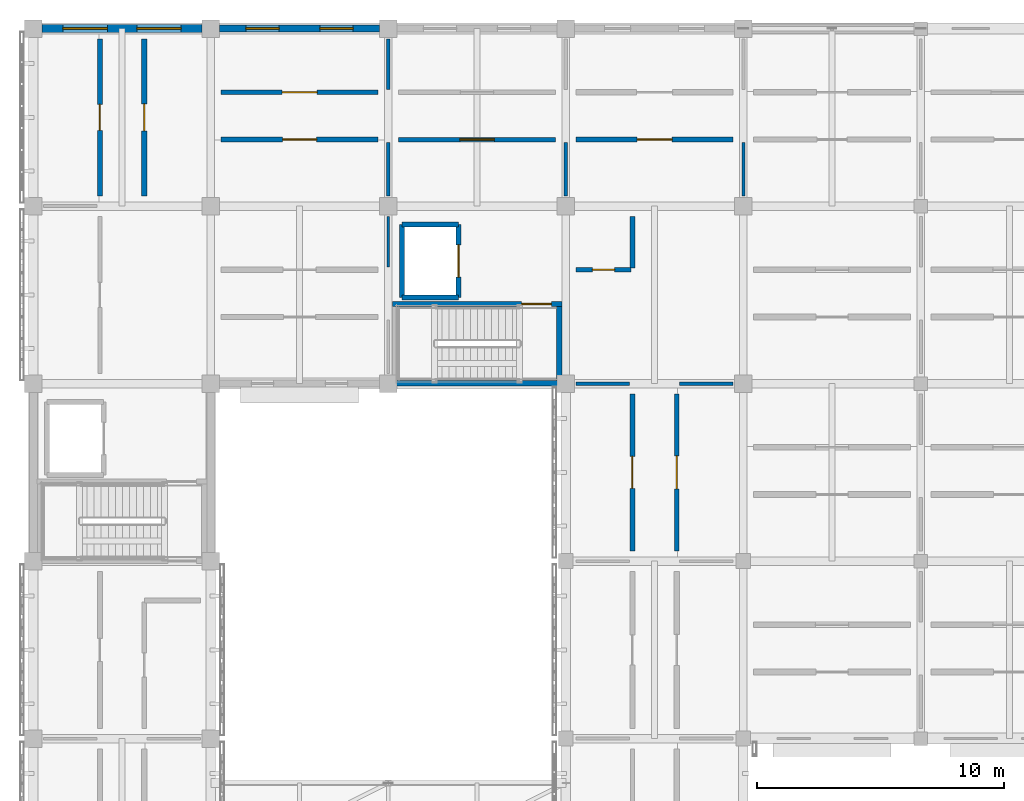
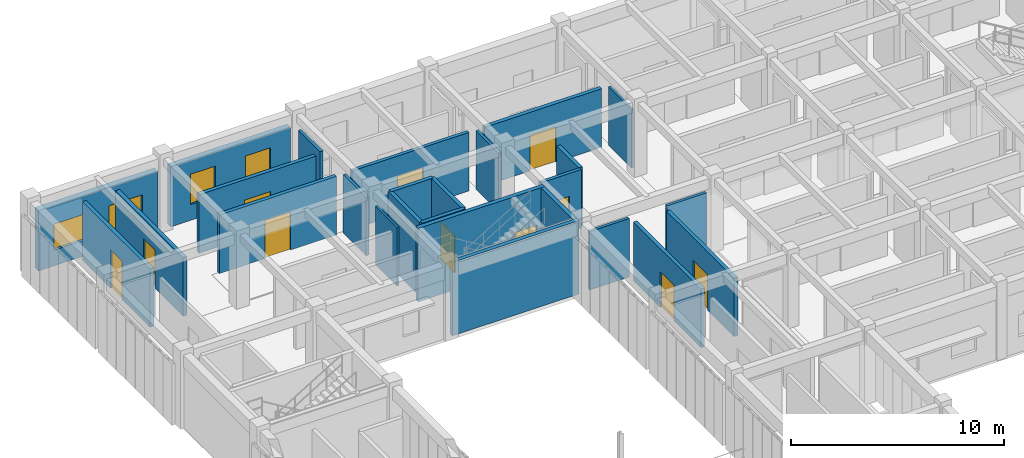
# One storey, part 126 of 171: 26 walls, 11 doors, 4 windows, 15 openings.
"""IFC4 building model written with IfcOpenShell, lengths in metres."""

import ifcopenshell
import ifcopenshell.guid

model = None  # the IFC model being written
_history = None  # IfcOwnerHistory: only IFC2X3 demands one
_inside = {}  # id of a spatial element -> (the spatial element, [elements in it])
_under = {}  # id of a project, library or spatial element -> (it, [spatial elements below it])
_declared = {}  # id of a project -> (the project, [libraries it declares])
_typed = {}  # id of a type object -> (the type object, [elements of that type])
_made_of = {}  # id of a material, layer set ... -> (it, [elements and type objects made of it])


def new_model(schema):
    """Start an empty IFC model of exactly this schema.

    Asked for "IFC4X3", IfcOpenShell would pick the latest addendum, in which some entities
    have other attributes; the version numbers below select the first issue.
    IFC2X3 requires an IfcOwnerHistory on every rooted entity: one is made here for all.
    """
    global model, _history
    if schema == "IFC4X3":
        model = ifcopenshell.file(schema_version=(4, 3, 0, 0))
    else:
        model = ifcopenshell.file(schema=schema)
    _inside.clear()
    _under.clear()
    _declared.clear()
    _typed.clear()
    _made_of.clear()
    _history = None
    if model.schema == "IFC2X3":
        org = make("IfcOrganization", Name="unknown")
        user = make(
            "IfcPersonAndOrganization",
            ThePerson=make("IfcPerson", FamilyName="unknown"),
            TheOrganization=org,
        )
        app = make(
            "IfcApplication",
            ApplicationDeveloper=org,
            Version="unknown",
            ApplicationFullName="unknown",
            ApplicationIdentifier="unknown",
        )
        _history = make(
            "IfcOwnerHistory",
            OwningUser=user,
            OwningApplication=app,
            ChangeAction="ADDED",
            CreationDate=0,
        )
    return model


def make(cls, **values):
    """One entity of the class cls with the attributes given. An attribute that is None is left unset."""
    return model.create_entity(
        cls, **{name: value for name, value in values.items() if value is not None}
    )


def rooted(cls, **values):
    """An entity with a GlobalId (a new one), such as an element, a storey or a relation."""
    return make(cls, GlobalId=ifcopenshell.guid.new(), OwnerHistory=_history, **values)


def si_unit(unit_type, name, prefix=None):
    """IfcSIUnit, for example si_unit("LENGTHUNIT", "METRE", prefix="MILLI")."""
    return make("IfcSIUnit", UnitType=unit_type, Prefix=prefix, Name=name)


def assignment(units):
    """IfcUnitAssignment: the units of a project."""
    return None if units is None else make("IfcUnitAssignment", Units=units)


def point(xyz):
    """IfcCartesianPoint."""
    return None if xyz is None else make("IfcCartesianPoint", Coordinates=xyz)


def direction(xyz):
    """IfcDirection."""
    return None if xyz is None else make("IfcDirection", DirectionRatios=xyz)


def frame(location, z_axis=None, x_axis=None):
    """IfcAxis2Placement3D, a coordinate frame: its origin and axes. An axis left out is left unset."""
    return make(
        "IfcAxis2Placement3D",
        Location=point(location),
        Axis=direction(z_axis),
        RefDirection=direction(x_axis),
    )


def frame_2d(location, x_axis=None):
    """IfcAxis2Placement2D, a coordinate frame in the plane: its origin and x axis."""
    return make(
        "IfcAxis2Placement2D", Location=point(location), RefDirection=direction(x_axis)
    )


def origin():
    """The frame at (0, 0, 0) with its axes left unset."""
    return frame((0.0, 0.0, 0.0))


def place(relative_to, where):
    """IfcLocalPlacement: puts the frame where relative to a parent placement (None: the world)."""
    return make(
        "IfcLocalPlacement", PlacementRelTo=relative_to, RelativePlacement=where
    )


def context(
    kind, dimensions, precision=None, world=None, true_north=None, identifier=None
):
    """IfcGeometricRepresentationContext, for example the 3D "Model" context."""
    return make(
        "IfcGeometricRepresentationContext",
        ContextIdentifier=identifier,
        ContextType=kind,
        CoordinateSpaceDimension=dimensions,
        Precision=precision,
        WorldCoordinateSystem=world,
        TrueNorth=true_north,
    )


def subcontext(parent, identifier, kind, view, scale=None):
    """IfcGeometricRepresentationSubContext, for example "Body" below "Model"."""
    return make(
        "IfcGeometricRepresentationSubContext",
        ContextIdentifier=identifier,
        ContextType=kind,
        ParentContext=parent,
        TargetScale=scale,
        TargetView=view,
    )


def project(units=None, contexts=None):
    """IfcProject with its units and contexts."""
    return rooted(
        "IfcProject",
        Name="project",
        RepresentationContexts=contexts,
        UnitsInContext=assignment(units),
    )


def spatial(cls, under=None, at=None, **own):
    """A site, building, storey or space (cls), placed at a placement, below another one or the project."""
    s = rooted(cls, ObjectPlacement=at, **own)
    if under is not None:
        _under.setdefault(under.id(), (under, []))[1].append(s)
    return s


def profile(cls, at=None, kind="AREA", **sizes):
    """A parametric profile (cls). Its sizes go by their IFC names, for example OverallWidth=200.0."""
    return make(cls, ProfileType=kind, Position=at, **sizes)


def rectangle(**sizes):
    """IfcRectangleProfileDef."""
    return profile("IfcRectangleProfileDef", **sizes)


def extrude(swept, where, along, depth):
    """IfcExtrudedAreaSolid: the profile swept, set in the frame where, extruded along a direction by depth."""
    return make(
        "IfcExtrudedAreaSolid",
        SweptArea=swept,
        Position=where,
        ExtrudedDirection=direction(along),
        Depth=depth,
    )


def shape(context_of_items, identifier, shape_type, items):
    """IfcShapeRepresentation: the items that make up one representation, for example the "Body"."""
    return make(
        "IfcShapeRepresentation",
        ContextOfItems=context_of_items,
        RepresentationIdentifier=identifier,
        RepresentationType=shape_type,
        Items=items,
    )


def material(Name=None, Category=None):
    """IfcMaterial."""
    return make("IfcMaterial", Name=Name, Category=Category)


def layer(
    of_material, thickness, ventilated=None, Name=None, Category=None, Priority=None
):
    """IfcMaterialLayer: one layer of a wall or slab, of a material (None: an air gap)."""
    return make(
        "IfcMaterialLayer",
        Material=of_material,
        LayerThickness=thickness,
        IsVentilated=ventilated,
        Name=Name,
        Category=Category,
        Priority=Priority,
    )


def layer_set(layers, Name=None):
    """IfcMaterialLayerSet."""
    return make("IfcMaterialLayerSet", MaterialLayers=layers, LayerSetName=Name)


def made_of(thing, what):
    """Note that an element or type object is made of a material, layer set ...; save() writes the relation."""
    if what is not None:
        _made_of.setdefault(what.id(), (what, []))[1].append(thing)
    return thing


def type_object(cls, material=None, **own):
    """A type object (cls), such as IfcWallType, which elements share."""
    return made_of(rooted(cls, **own), material)


def element(
    cls,
    number,
    at=None,
    inside=None,
    cuts=None,
    type_object=None,
    material=None,
    context=None,
    identifier="Body",
    shape_type=None,
    held_by="IfcProductDefinitionShape",
    body=None,
    shapes=None,
    **own,
):
    """One element of the class cls, such as IfcWall. Its Tag is "e" and its number.

    at: its placement. inside: the storey or other place that contains it. cuts: it is an
    opening in that element (IfcRelVoidsElement). A single representation is given by context,
    identifier, shape_type and body (its items); several are given by shapes. held_by: the class
    of the entity that holds the representations. save() writes the other relations.
    """
    e = rooted(cls, Tag="e%d" % number, ObjectPlacement=at, **own)
    if body is not None:
        shapes = [shape(context, identifier, shape_type, body)]
    if shapes is not None:
        e.Representation = make(held_by, Representations=shapes)
    if inside is not None:
        _inside.setdefault(inside.id(), (inside, []))[1].append(e)
    if cuts is not None:
        rooted(
            "IfcRelVoidsElement", RelatingBuildingElement=cuts, RelatedOpeningElement=e
        )
    if type_object is not None:
        _typed.setdefault(type_object.id(), (type_object, []))[1].append(e)
    return made_of(e, material)


def fill(opening, filler):
    """IfcRelFillsElement: the door or window that sits in an opening."""
    return rooted(
        "IfcRelFillsElement",
        RelatingOpeningElement=opening,
        RelatedBuildingElement=filler,
    )


def aggregate(whole, parts):
    """IfcRelAggregates: a whole, such as a stair, and the parts it consists of."""
    return rooted("IfcRelAggregates", RelatingObject=whole, RelatedObjects=parts)


def save(model, path):
    """Write the relations noted so far, then the file.

    IfcRelAggregates (storeys below a building ...), IfcRelContainedInSpatialStructure (elements
    in a storey), IfcRelDefinesByType, IfcRelAssociatesMaterial and IfcRelDeclares: one each for
    every whole, place, type object, material and project.
    """
    for whole, parts in _under.values():
        aggregate(whole, parts)
    for where, things in _inside.values():
        rooted(
            "IfcRelContainedInSpatialStructure",
            RelatedElements=things,
            RelatingStructure=where,
        )
    for kind, things in _typed.values():
        rooted("IfcRelDefinesByType", RelatedObjects=things, RelatingType=kind)
    for what, things in _made_of.values():
        rooted("IfcRelAssociatesMaterial", RelatedObjects=things, RelatingMaterial=what)
    for by, libraries in _declared.values():
        rooted("IfcRelDeclares", RelatingContext=by, RelatedDefinitions=libraries)
    model.write(path)


model = new_model("IFC4")

# Units and contexts
model_context = context("Model", 3, precision=1e-05, world=origin(), true_north=direction((0.0, 1.0)))
body_context = subcontext(model_context, "Body", "Model", "MODEL_VIEW")
ifc_project = project(units=[si_unit("LENGTHUNIT", "METRE"), si_unit("AREAUNIT", "SQUARE_METRE"), si_unit("VOLUMEUNIT", "CUBIC_METRE"), si_unit("PLANEANGLEUNIT", "RADIAN"), si_unit("MASSUNIT", "GRAM", prefix="KILO")], contexts=[model_context])

# Site, building, storey
site_placement = place(None, origin())
site = spatial("IfcSite", under=ifc_project, at=site_placement, CompositionType="ELEMENT")
building_placement = place(site_placement, origin())
building = spatial("IfcBuilding", under=site, at=building_placement, Name="Aldebral Square Health Centre", CompositionType="ELEMENT")
storey_placement = place(building_placement, frame((0.0, 0.0, 4.5)))
storey = spatial("IfcBuildingStorey", under=building, at=storey_placement, Name="L01", CompositionType="ELEMENT", Elevation=4.5)

# Wall, openings, windows
ifc_material_1 = material(Name="Ochre mineral-rendered concrete C35/45 court wall", Category="concrete")
ifc_layer_1 = layer(ifc_material_1, 0.280029296875, Name="Ochre mineral-rendered concrete C35/45 court wall", Category="concrete")
ifc_layer_set_1 = layer_set([ifc_layer_1], Name="Ochre mineral-rendered concrete C35/45 court wall")
wall_type_1 = type_object("IfcWallType", Name="EW-OCH-280", PredefinedType="STANDARD", material=ifc_layer_set_1)
wall_1_placement = place(storey_placement, frame((14.050048828125, 115.199951171875, 0.0), z_axis=(0.0, 0.0, 1.0), x_axis=(-1.0, 0.0, 0.0)))
wall_1 = element("IfcWall", 1, at=wall_1_placement, inside=storey, type_object=wall_type_1, Name="L01 V4 exterior wall L01-V4-01-15-N", PredefinedType="STANDARD", context=body_context, shape_type="SweptSolid", body=[
    extrude(rectangle(XDim=6.5, YDim=0.280029296875, at=frame_2d((3.25, 0.0))), origin(), (0.0, 0.0, 1.0), 3.469970703125),
])
opening_1_placement = place(wall_1_placement, frame((1.074951171875, 0.0, 0.89990234375)))
opening_1 = element("IfcOpeningElement", 2, at=opening_1_placement, cuts=wall_1, Name="Opening W40", PredefinedType="OPENING", context=body_context, shape_type="SweptSolid", body=[
    extrude(rectangle(XDim=1.35009765625, YDim=1.75, at=frame_2d((0.675048828125, 0.875))), frame((0.0, 0.14990234375, 0.0), z_axis=(0.0, -1.0, 0.0), x_axis=(1.0, 0.0, 0.0)), (0.0, 0.0, 1.0), 0.300048828125),
])
opening_2_placement = place(wall_1_placement, frame((4.074951171875, 0.0, 0.89990234375)))
opening_2 = element("IfcOpeningElement", 3, at=opening_2_placement, cuts=wall_1, Name="Opening W40", PredefinedType="OPENING", context=body_context, shape_type="SweptSolid", body=[
    extrude(rectangle(XDim=1.35009765625, YDim=1.75, at=frame_2d((0.675048828125, 0.875))), frame((0.0, 0.14990234375, 0.0), z_axis=(0.0, -1.0, 0.0), x_axis=(1.0, 0.0, 0.0)), (0.0, 0.0, 1.0), 0.300048828125),
])
ifc_material_2 = material(Name="Thermally broken aluminium and low-E glass", Category="aluminium")
window_type_1 = type_object("IfcWindowType", Name="WIN-W40", PartitioningType="SINGLE_PANEL", PredefinedType="WINDOW", material=ifc_material_2)
window_1_placement = place(opening_1_placement, origin())
window_1 = element("IfcWindow", 4, at=window_1_placement, inside=storey, type_object=window_type_1, Name="L01 clinical window L01-V4-01-15-N.1", OverallHeight=1.75, OverallWidth=1.35009765625, PartitioningType="SINGLE_PANEL", PredefinedType="WINDOW", context=body_context, shape_type="SweptSolid", body=[
    extrude(rectangle(XDim=1.35009765625, YDim=1.75, at=frame_2d((0.675048828125, 0.875))), frame((0.0, 0.030029296875, 0.0), z_axis=(0.0, -1.0, 0.0), x_axis=(1.0, 0.0, 0.0)), (0.0, 0.0, 1.0), 0.06005859375),
])
fill(opening_1, window_1)
window_2_placement = place(opening_2_placement, origin())
window_2 = element("IfcWindow", 5, at=window_2_placement, inside=storey, type_object=window_type_1, Name="L01 clinical window L01-V4-01-15-N.2", OverallHeight=1.75, OverallWidth=1.35009765625, PartitioningType="SINGLE_PANEL", PredefinedType="WINDOW", context=body_context, shape_type="SweptSolid", body=[
    extrude(rectangle(XDim=1.35009765625, YDim=1.75, at=frame_2d((0.675048828125, 0.875))), frame((0.0, 0.030029296875, 0.0), z_axis=(0.0, -1.0, 0.0), x_axis=(1.0, 0.0, 0.0)), (0.0, 0.0, 1.0), 0.06005859375),
])
fill(opening_2, window_2)

ifc_material_3 = material(Name="Precast concrete C40/50 insulated panel", Category="concrete")
ifc_layer_2 = layer(ifc_material_3, 0.320068359375, Name="Precast concrete C40/50 insulated panel", Category="concrete")
ifc_layer_set_2 = layer_set([ifc_layer_2], Name="Precast concrete C40/50 insulated panel")
wall_type_2 = type_object("IfcWallType", Name="EW-PRE-320", PredefinedType="STANDARD", material=ifc_layer_set_2)
wall_2_placement = place(storey_placement, frame((6.85009765625, 115.199951171875, 0.0), z_axis=(0.0, 0.0, 1.0), x_axis=(-1.0, 0.0, 0.0)))
wall_2 = element("IfcWall", 6, at=wall_2_placement, inside=storey, type_object=wall_type_2, Name="L01 V4 exterior wall L01-V4-00-15-N", PredefinedType="STANDARD", context=body_context, shape_type="SweptSolid", body=[
    extrude(rectangle(XDim=6.5, YDim=0.320068359375, at=frame_2d((3.25, 0.0))), origin(), (0.0, 0.0, 1.0), 3.469970703125),
])
opening_3_placement = place(wall_2_placement, frame((0.85009765625, 0.0, 0.89990234375)))
opening_3 = element("IfcOpeningElement", 7, at=opening_3_placement, cuts=wall_2, Name="Opening W25", PredefinedType="OPENING", context=body_context, shape_type="SweptSolid", body=[
    extrude(rectangle(XDim=1.800048828125, YDim=1.5, at=frame_2d((0.89990234375, 0.75))), frame((0.0, 0.169921875, 0.0), z_axis=(0.0, -1.0, 0.0), x_axis=(1.0, 0.0, 0.0)), (0.0, 0.0, 1.0), 0.340087890625),
])
opening_4_placement = place(wall_2_placement, frame((3.85009765625, 0.0, 0.89990234375)))
opening_4 = element("IfcOpeningElement", 8, at=opening_4_placement, cuts=wall_2, Name="Opening W25", PredefinedType="OPENING", context=body_context, shape_type="SweptSolid", body=[
    extrude(rectangle(XDim=1.800048828125, YDim=1.5, at=frame_2d((0.89990234375, 0.75))), frame((0.0, 0.169921875, 0.0), z_axis=(0.0, -1.0, 0.0), x_axis=(1.0, 0.0, 0.0)), (0.0, 0.0, 1.0), 0.340087890625),
])
window_type_2 = type_object("IfcWindowType", Name="WIN-W25", PartitioningType="SINGLE_PANEL", PredefinedType="WINDOW", material=ifc_material_2)
window_3_placement = place(opening_3_placement, origin())
window_3 = element("IfcWindow", 9, at=window_3_placement, inside=storey, type_object=window_type_2, Name="L01 clinical window L01-V4-00-15-N.1", OverallHeight=1.5, OverallWidth=1.800048828125, PartitioningType="SINGLE_PANEL", PredefinedType="WINDOW", context=body_context, shape_type="SweptSolid", body=[
    extrude(rectangle(XDim=1.800048828125, YDim=1.5, at=frame_2d((0.89990234375, 0.75))), frame((0.0, 0.030029296875, 0.0), z_axis=(0.0, -1.0, 0.0), x_axis=(1.0, 0.0, 0.0)), (0.0, 0.0, 1.0), 0.06005859375),
])
fill(opening_3, window_3)
window_4_placement = place(opening_4_placement, origin())
window_4 = element("IfcWindow", 10, at=window_4_placement, inside=storey, type_object=window_type_2, Name="L01 clinical window L01-V4-00-15-N.2", OverallHeight=1.5, OverallWidth=1.800048828125, PartitioningType="SINGLE_PANEL", PredefinedType="WINDOW", context=body_context, shape_type="SweptSolid", body=[
    extrude(rectangle(XDim=1.800048828125, YDim=1.5, at=frame_2d((0.89990234375, 0.75))), frame((0.0, 0.030029296875, 0.0), z_axis=(0.0, -1.0, 0.0), x_axis=(1.0, 0.0, 0.0)), (0.0, 0.0, 1.0), 0.06005859375),
])
fill(opening_4, window_4)

# Wall, opening, door
ifc_material_4 = material(Name="Concrete C35/45 compartment wall", Category="concrete")
ifc_layer_3 = layer(ifc_material_4, 0.199951171875, Name="Concrete C35/45 compartment wall", Category="concrete")
ifc_layer_set_3 = layer_set([ifc_layer_3], Name="Concrete C35/45 compartment wall")
wall_type_3 = type_object("IfcWallType", Name="IW-CMP-200", PredefinedType="SOLIDWALL", material=ifc_layer_set_3)
wall_3_placement = place(storey_placement, frame((7.6201171875, 110.699951171875, 0.0), z_axis=(0.0, 0.0, 1.0), x_axis=(1.0, 0.0, 0.0)))
wall_3 = element("IfcWall", 11, at=wall_3_placement, inside=storey, type_object=wall_type_3, Name="L01 General Consulting Room 2.16S corridor wall", PredefinedType="SOLIDWALL", context=body_context, shape_type="SweptSolid", body=[
    extrude(rectangle(XDim=6.35986328125, YDim=0.199951171875, at=frame_2d((3.179931640625, 0.0))), origin(), (0.0, 0.0, 1.0), 3.360107421875),
])
opening_5_placement = place(wall_3_placement, frame((2.489990234375, 0.0, 0.0)))
opening_5 = element("IfcOpeningElement", 12, at=opening_5_placement, cuts=wall_3, Name="Opening D-0282", PredefinedType="OPENING", context=body_context, shape_type="SweptSolid", body=[
    extrude(rectangle(XDim=1.3798828125, YDim=2.18994140625, at=frame_2d((0.68994140625, 1.094970703125))), frame((0.0, 0.10986328125, 0.0), z_axis=(0.0, -1.0, 0.0), x_axis=(1.0, 0.0, 0.0)), (0.0, 0.0, 1.0), 0.219970703125),
])
ifc_material_5 = material(Name="Clinical suite fire door")
door_type_1 = type_object("IfcDoorType", Name="ID-EXD-60", OperationType="NOTDEFINED", PredefinedType="DOOR", material=ifc_material_5)
door_1_placement = place(opening_5_placement, origin())
door_1 = element("IfcDoor", 13, at=door_1_placement, inside=storey, type_object=door_type_1, Name="L01 General Consulting Room 2.16S door", OperationType="SINGLE_SWING_LEFT", OverallHeight=2.18994140625, OverallWidth=1.3798828125, PredefinedType="DOOR", context=body_context, shape_type="SweptSolid", body=[
    extrude(rectangle(XDim=1.3798828125, YDim=2.18994140625, at=frame_2d((0.68994140625, 1.094970703125))), frame((0.0, 0.02490234375, 0.0), z_axis=(0.0, -1.0, 0.0), x_axis=(1.0, 0.0, 0.0)), (0.0, 0.0, 1.0), 0.050048828125),
])
fill(opening_5, door_1)

wall_4_placement = place(storey_placement, frame((7.6201171875, 112.6201171875, 0.0), z_axis=(0.0, 0.0, 1.0), x_axis=(1.0, 0.0, 0.0)))
wall_4 = element("IfcWall", 14, at=wall_4_placement, inside=storey, type_object=wall_type_3, Name="L01 Internal Medicine Clinic 2.16N corridor wall", PredefinedType="SOLIDWALL", context=body_context, shape_type="SweptSolid", body=[
    extrude(rectangle(XDim=6.35986328125, YDim=0.199951171875, at=frame_2d((3.179931640625, 0.0))), origin(), (0.0, 0.0, 1.0), 3.360107421875),
])
opening_6_placement = place(wall_4_placement, frame((2.469970703125, 0.0, 0.0)))
opening_6 = element("IfcOpeningElement", 15, at=opening_6_placement, cuts=wall_4, Name="Opening D-0283", PredefinedType="OPENING", context=body_context, shape_type="SweptSolid", body=[
    extrude(rectangle(XDim=1.419921875, YDim=2.18994140625, at=frame_2d((0.7099609375, 1.094970703125))), frame((0.0, 0.10986328125, 0.0), z_axis=(0.0, -1.0, 0.0), x_axis=(1.0, 0.0, 0.0)), (0.0, 0.0, 1.0), 0.219970703125),
])
door_type_2 = type_object("IfcDoorType", Name="ID-EXD-61", OperationType="NOTDEFINED", PredefinedType="DOOR", material=ifc_material_5)
door_2_placement = place(opening_6_placement, origin())
door_2 = element("IfcDoor", 16, at=door_2_placement, inside=storey, type_object=door_type_2, Name="L01 Internal Medicine Clinic 2.16N door", OperationType="SINGLE_SWING_RIGHT", OverallHeight=2.18994140625, OverallWidth=1.419921875, PredefinedType="DOOR", context=body_context, shape_type="SweptSolid", body=[
    extrude(rectangle(XDim=1.419921875, YDim=2.18994140625, at=frame_2d((0.7099609375, 1.094970703125))), frame((0.0, 0.02490234375, 0.0), z_axis=(0.0, -1.0, 0.0), x_axis=(1.0, 0.0, 0.0)), (0.0, 0.0, 1.0), 0.050048828125),
])
fill(opening_6, door_2)

wall_5_placement = place(storey_placement, frame((24.300048828125, 94.02001953125, 0.0), z_axis=(0.0, 0.0, 1.0), x_axis=(0.0, 1.0, 0.0)))
wall_5 = element("IfcWall", 17, at=wall_5_placement, inside=storey, type_object=wall_type_3, Name="L01 Internal Medicine Clinic 4.14W corridor wall", PredefinedType="SOLIDWALL", context=body_context, shape_type="SweptSolid", body=[
    extrude(rectangle(XDim=6.35986328125, YDim=0.199951171875, at=frame_2d((3.179931640625, 0.0))), origin(), (0.0, 0.0, 1.0), 3.360107421875),
])
opening_7_placement = place(wall_5_placement, frame((2.530029296875, 0.0, 0.0)))
opening_7 = element("IfcOpeningElement", 18, at=opening_7_placement, cuts=wall_5, Name="Opening D-0301", PredefinedType="OPENING", context=body_context, shape_type="SweptSolid", body=[
    extrude(rectangle(XDim=1.300048828125, YDim=2.0400390625, at=frame_2d((0.64990234375, 1.02001953125))), frame((0.0, 0.10986328125, 0.0), z_axis=(0.0, -1.0, 0.0), x_axis=(1.0, 0.0, 0.0)), (0.0, 0.0, 1.0), 0.219970703125),
])
door_type_3 = type_object("IfcDoorType", Name="ID-EXD-10", OperationType="NOTDEFINED", PredefinedType="DOOR", material=ifc_material_5)
door_3_placement = place(opening_7_placement, origin())
door_3 = element("IfcDoor", 19, at=door_3_placement, inside=storey, type_object=door_type_3, Name="L01 Internal Medicine Clinic 4.14W door", OperationType="SINGLE_SWING_RIGHT", OverallHeight=2.0400390625, OverallWidth=1.300048828125, PredefinedType="DOOR", context=body_context, shape_type="SweptSolid", body=[
    extrude(rectangle(XDim=1.300048828125, YDim=2.0400390625, at=frame_2d((0.64990234375, 1.02001953125))), frame((0.0, 0.02490234375, 0.0), z_axis=(0.0, -1.0, 0.0), x_axis=(1.0, 0.0, 0.0)), (0.0, 0.0, 1.0), 0.050048828125),
])
fill(opening_7, door_3)

wall_6_placement = place(storey_placement, frame((26.10009765625, 94.02001953125, 0.0), z_axis=(0.0, 0.0, 1.0), x_axis=(0.0, 1.0, 0.0)))
wall_6 = element("IfcWall", 20, at=wall_6_placement, inside=storey, type_object=wall_type_3, Name="L01 Diabetic Foot Care Room 4.14E corridor wall", PredefinedType="SOLIDWALL", context=body_context, shape_type="SweptSolid", body=[
    extrude(rectangle(XDim=6.35986328125, YDim=0.199951171875, at=frame_2d((3.179931640625, 0.0))), origin(), (0.0, 0.0, 1.0), 3.360107421875),
])
opening_8_placement = place(wall_6_placement, frame((2.510009765625, 0.0, 0.0)))
opening_8 = element("IfcOpeningElement", 21, at=opening_8_placement, cuts=wall_6, Name="Opening D-0302", PredefinedType="OPENING", context=body_context, shape_type="SweptSolid", body=[
    extrude(rectangle(XDim=1.340087890625, YDim=2.0400390625, at=frame_2d((0.669921875, 1.02001953125))), frame((0.0, 0.10986328125, 0.0), z_axis=(0.0, -1.0, 0.0), x_axis=(1.0, 0.0, 0.0)), (0.0, 0.0, 1.0), 0.219970703125),
])
door_type_4 = type_object("IfcDoorType", Name="ID-EXD-11", OperationType="NOTDEFINED", PredefinedType="DOOR", material=ifc_material_5)
door_4_placement = place(opening_8_placement, origin())
door_4 = element("IfcDoor", 22, at=door_4_placement, inside=storey, type_object=door_type_4, Name="L01 Diabetic Foot Care Room 4.14E door", OperationType="SINGLE_SWING_LEFT", OverallHeight=2.0400390625, OverallWidth=1.340087890625, PredefinedType="DOOR", context=body_context, shape_type="SweptSolid", body=[
    extrude(rectangle(XDim=1.340087890625, YDim=2.0400390625, at=frame_2d((0.669921875, 1.02001953125))), frame((0.0, 0.02490234375, 0.0), z_axis=(0.0, -1.0, 0.0), x_axis=(1.0, 0.0, 0.0)), (0.0, 0.0, 1.0), 0.050048828125),
])
fill(opening_8, door_4)

ifc_material_6 = material(Name="Fire-rated acoustic gypsum partition")
ifc_layer_4 = layer(ifc_material_6, 0.179931640625, Name="Fire-rated acoustic gypsum partition")
ifc_layer_set_4 = layer_set([ifc_layer_4], Name="Fire-rated acoustic gypsum partition")
wall_type_4 = type_object("IfcWallType", Name="IW-COR-180", PredefinedType="PARTITIONING", material=ifc_layer_set_4)
wall_7_placement = place(storey_placement, frame((14.820068359375, 110.699951171875, 0.0), z_axis=(0.0, 0.0, 1.0), x_axis=(1.0, 0.0, 0.0)))
wall_7 = element("IfcWall", 23, at=wall_7_placement, inside=storey, type_object=wall_type_4, Name="L01 General Consulting Room 3.16S corridor wall", PredefinedType="PARTITIONING", context=body_context, shape_type="SweptSolid", body=[
    extrude(rectangle(XDim=6.35986328125, YDim=0.179931640625, at=frame_2d((3.179931640625, 0.0))), origin(), (0.0, 0.0, 1.0), 3.360107421875),
])
opening_9_placement = place(wall_7_placement, frame((2.47998046875, 0.0, 0.0)))
opening_9 = element("IfcOpeningElement", 24, at=opening_9_placement, cuts=wall_7, Name="Opening D-0288", PredefinedType="OPENING", context=body_context, shape_type="SweptSolid", body=[
    extrude(rectangle(XDim=1.39990234375, YDim=2.199951171875, at=frame_2d((0.699951171875, 1.10009765625))), frame((0.0, 0.10009765625, 0.0), z_axis=(0.0, -1.0, 0.0), x_axis=(1.0, 0.0, 0.0)), (0.0, 0.0, 1.0), 0.199951171875),
])
ifc_material_7 = material(Name="Surgical recovery fire door")
door_type_5 = type_object("IfcDoorType", Name="ID-OR-140", OperationType="NOTDEFINED", PredefinedType="DOOR", material=ifc_material_7)
door_5_placement = place(opening_9_placement, origin())
door_5 = element("IfcDoor", 25, at=door_5_placement, inside=storey, type_object=door_type_5, Name="L01 General Consulting Room 3.16S door", OperationType="SINGLE_SWING_LEFT", OverallHeight=2.199951171875, OverallWidth=1.39990234375, PredefinedType="DOOR", context=body_context, shape_type="SweptSolid", body=[
    extrude(rectangle(XDim=1.39990234375, YDim=2.199951171875, at=frame_2d((0.699951171875, 1.10009765625))), frame((0.0, 0.02490234375, 0.0), z_axis=(0.0, -1.0, 0.0), x_axis=(1.0, 0.0, 0.0)), (0.0, 0.0, 1.0), 0.050048828125),
])
fill(opening_9, door_5)

wall_8_placement = place(storey_placement, frame((22.02001953125, 105.419921875, 0.0), z_axis=(0.0, 0.0, 1.0), x_axis=(1.0, 0.0, 0.0)))
wall_8 = element("IfcWall", 26, at=wall_8_placement, inside=storey, type_object=wall_type_4, Name="L01 Outpatient Treatment Room 4.15NW corridor wall", PredefinedType="PARTITIONING", context=body_context, shape_type="SweptSolid", body=[
    extrude(rectangle(XDim=2.219970703125, YDim=0.179931640625, at=frame_2d((1.10986328125, 0.0))), origin(), (0.0, 0.0, 1.0), 3.360107421875),
])
opening_10_placement = place(wall_8_placement, frame((0.659912109375, 0.0, 0.0)))
opening_10 = element("IfcOpeningElement", 27, at=opening_10_placement, cuts=wall_8, Name="Opening D-0303", PredefinedType="OPENING", context=body_context, shape_type="SweptSolid", body=[
    extrude(rectangle(XDim=0.89990234375, YDim=2.0400390625, at=frame_2d((0.449951171875, 1.02001953125))), frame((0.0, 0.10009765625, 0.0), z_axis=(0.0, -1.0, 0.0), x_axis=(1.0, 0.0, 0.0)), (0.0, 0.0, 1.0), 0.199951171875),
])
door_type_6 = type_object("IfcDoorType", Name="ID-EXD-00", OperationType="NOTDEFINED", PredefinedType="DOOR", material=ifc_material_5)
door_6_placement = place(opening_10_placement, origin())
door_6 = element("IfcDoor", 28, at=door_6_placement, inside=storey, type_object=door_type_6, Name="L01 Outpatient Treatment Room 4.15NW door", OperationType="SINGLE_SWING_RIGHT", OverallHeight=2.0400390625, OverallWidth=0.89990234375, PredefinedType="DOOR", context=body_context, shape_type="SweptSolid", body=[
    extrude(rectangle(XDim=0.89990234375, YDim=2.0400390625, at=frame_2d((0.449951171875, 1.02001953125))), frame((0.0, 0.02490234375, 0.0), z_axis=(0.0, -1.0, 0.0), x_axis=(1.0, 0.0, 0.0)), (0.0, 0.0, 1.0), 0.050048828125),
])
fill(opening_10, door_6)

# Wall
ifc_material_8 = material(Name="Concrete C40/50", Category="concrete")
ifc_layer_5 = layer(ifc_material_8, 0.219970703125, Name="Concrete C40/50", Category="concrete")
ifc_layer_set_5 = layer_set([ifc_layer_5], Name="Concrete C40/50")
wall_type_5 = type_object("IfcWallType", Name="IW-CORE-280", PredefinedType="SHEAR", material=ifc_layer_set_5)
wall_9_placement = place(storey_placement, frame((14.56005859375, 100.81005859375, 0.0), z_axis=(0.0, 0.0, 1.0), x_axis=(1.0, 0.0, 0.0)))
element("IfcWall", 29, at=wall_9_placement, inside=storey, type_object=wall_type_5, Name="L01 WC-C2 shaft wall S", PredefinedType="SHEAR", context=body_context, shape_type="SweptSolid", body=[
    extrude(rectangle(XDim=6.8798828125, YDim=0.219970703125, at=frame_2d((3.43994140625, 0.0))), origin(), (0.0, 0.0, 1.0), 4.219970703125),
])

# Wall, opening, door
wall_10_placement = place(storey_placement, frame((14.56005859375, 104.030029296875, 0.0), z_axis=(0.0, 0.0, 1.0), x_axis=(1.0, 0.0, 0.0)))
wall_10 = element("IfcWall", 30, at=wall_10_placement, inside=storey, type_object=wall_type_5, Name="L01 WC-C2 shaft wall N", PredefinedType="SHEAR", context=body_context, shape_type="SweptSolid", body=[
    extrude(rectangle(XDim=6.8798828125, YDim=0.219970703125, at=frame_2d((3.43994140625, 0.0))), origin(), (0.0, 0.0, 1.0), 4.219970703125),
])
opening_11_placement = place(wall_10_placement, frame((5.25, 0.0, 0.0)))
opening_11 = element("IfcOpeningElement", 31, at=opening_11_placement, cuts=wall_10, Name="Opening D-0021", PredefinedType="OPENING", context=body_context, shape_type="SweptSolid", body=[
    extrude(rectangle(XDim=1.199951171875, YDim=2.14990234375, at=frame_2d((0.60009765625, 1.074951171875))), frame((0.0, 0.1201171875, 0.0), z_axis=(0.0, -1.0, 0.0), x_axis=(1.0, 0.0, 0.0)), (0.0, 0.0, 1.0), 0.239990234375),
])
ifc_material_9 = material(Name="Fire-rated steel stair door", Category="steel")
door_type_7 = type_object("IfcDoorType", Name="ID-ST-120", OperationType="NOTDEFINED", PredefinedType="DOOR", material=ifc_material_9)
door_7_placement = place(opening_11_placement, origin())
door_7 = element("IfcDoor", 32, at=door_7_placement, inside=storey, type_object=door_type_7, Name="L01 ST-02 fire door", OperationType="SINGLE_SWING_LEFT", OverallHeight=2.14990234375, OverallWidth=1.199951171875, PredefinedType="DOOR", context=body_context, shape_type="SweptSolid", body=[
    extrude(rectangle(XDim=1.199951171875, YDim=2.14990234375, at=frame_2d((0.60009765625, 1.074951171875))), frame((0.0, 0.02490234375, 0.0), z_axis=(0.0, -1.0, 0.0), x_axis=(1.0, 0.0, 0.0)), (0.0, 0.0, 1.0), 0.050048828125),
])
fill(opening_11, door_7)

# Walls
wall_11_placement = place(storey_placement, frame((21.330078125, 100.919921875, 0.0), z_axis=(0.0, 0.0, 1.0), x_axis=(0.0, 1.0, 0.0)))
element("IfcWall", 33, at=wall_11_placement, inside=storey, type_object=wall_type_5, Name="L01 WC-C2 shaft wall E", PredefinedType="SHEAR", context=body_context, shape_type="SweptSolid", body=[
    extrude(rectangle(XDim=3.0, YDim=0.219970703125, at=frame_2d((1.5, 0.0))), origin(), (0.0, 0.0, 1.0), 4.219970703125),
])
ifc_layer_6 = layer(ifc_material_8, 0.199951171875, Name="Concrete C40/50", Category="concrete")
ifc_layer_set_6 = layer_set([ifc_layer_6], Name="Concrete C40/50")
wall_type_6 = type_object("IfcWallType", Name="IW-LFT-250", PredefinedType="SHEAR", material=ifc_layer_set_6)
wall_12_placement = place(storey_placement, frame((14.949951171875, 104.300048828125, 0.0), z_axis=(0.0, 0.0, 1.0), x_axis=(1.0, 0.0, 0.0)))
element("IfcWall", 34, at=wall_12_placement, inside=storey, type_object=wall_type_6, Name="L01 LF-02 shaft wall S", PredefinedType="SHEAR", context=body_context, shape_type="SweptSolid", body=[
    extrude(rectangle(XDim=2.300048828125, YDim=0.199951171875, at=frame_2d((1.14990234375, 0.0))), origin(), (0.0, 0.0, 1.0), 4.219970703125),
])
wall_13_placement = place(storey_placement, frame((14.949951171875, 104.300048828125, 0.0), z_axis=(0.0, 0.0, 1.0), x_axis=(0.0, 1.0, 0.0)))
element("IfcWall", 35, at=wall_13_placement, inside=storey, type_object=wall_type_6, Name="L01 LF-02 shaft wall W", PredefinedType="SHEAR", context=body_context, shape_type="SweptSolid", body=[
    extrude(rectangle(XDim=2.949951171875, YDim=0.199951171875, at=frame_2d((1.47509765625, 0.0))), origin(), (0.0, 0.0, 1.0), 4.219970703125),
])
wall_14_placement = place(storey_placement, frame((14.949951171875, 107.25, 0.0), z_axis=(0.0, 0.0, 1.0), x_axis=(1.0, 0.0, 0.0)))
element("IfcWall", 36, at=wall_14_placement, inside=storey, type_object=wall_type_6, Name="L01 LF-02 shaft wall N", PredefinedType="SHEAR", context=body_context, shape_type="SweptSolid", body=[
    extrude(rectangle(XDim=2.300048828125, YDim=0.199951171875, at=frame_2d((1.14990234375, 0.0))), origin(), (0.0, 0.0, 1.0), 4.219970703125),
])

# Wall, opening, door
wall_15_placement = place(storey_placement, frame((17.25, 104.300048828125, 0.0), z_axis=(0.0, 0.0, 1.0), x_axis=(0.0, 1.0, 0.0)))
wall_15 = element("IfcWall", 37, at=wall_15_placement, inside=storey, type_object=wall_type_6, Name="L01 LF-02 landing wall", PredefinedType="SHEAR", context=body_context, shape_type="SweptSolid", body=[
    extrude(rectangle(XDim=2.949951171875, YDim=0.199951171875, at=frame_2d((1.47509765625, 0.0))), origin(), (0.0, 0.0, 1.0), 4.219970703125),
])
opening_12_placement = place(wall_15_placement, frame((0.824951171875, 0.0, 0.0)))
opening_12 = element("IfcOpeningElement", 38, at=opening_12_placement, cuts=wall_15, Name="Opening D-0022", PredefinedType="OPENING", context=body_context, shape_type="SweptSolid", body=[
    extrude(rectangle(XDim=1.300048828125, YDim=2.14990234375, at=frame_2d((0.64990234375, 1.074951171875))), frame((0.0, 0.10986328125, 0.0), z_axis=(0.0, -1.0, 0.0), x_axis=(1.0, 0.0, 0.0)), (0.0, 0.0, 1.0), 0.219970703125),
])
ifc_material_10 = material(Name="Stainless steel stretcher lift landing door", Category="steel")
door_type_8 = type_object("IfcDoorType", Name="ID-LD-130", OperationType="SLIDING_TO_LEFT", PredefinedType="DOOR", material=ifc_material_10)
door_8_placement = place(opening_12_placement, origin())
door_8 = element("IfcDoor", 39, at=door_8_placement, inside=storey, type_object=door_type_8, Name="L01 LF-02 sliding landing door", OperationType="SLIDING_TO_LEFT", OverallHeight=2.14990234375, OverallWidth=1.300048828125, PredefinedType="DOOR", context=body_context, shape_type="SweptSolid", body=[
    extrude(rectangle(XDim=1.300048828125, YDim=2.14990234375, at=frame_2d((0.64990234375, 1.074951171875))), frame((0.0, 0.02490234375, 0.0), z_axis=(0.0, -1.0, 0.0), x_axis=(1.0, 0.0, 0.0)), (0.0, 0.0, 1.0), 0.050048828125),
])
fill(opening_12, door_8)

ifc_material_11 = material(Name="Moisture-resistant sanitary chase wall")
ifc_layer_7 = layer(ifc_material_11, 0.2099609375, Name="Moisture-resistant sanitary chase wall")
ifc_layer_set_7 = layer_set([ifc_layer_7], Name="Moisture-resistant sanitary chase wall")
wall_type_7 = type_object("IfcWallType", Name="IW-PLB-210", PredefinedType="PLUMBINGWALL", material=ifc_layer_set_7)
wall_16_placement = place(storey_placement, frame((2.699951171875, 108.419921875, 0.0), z_axis=(0.0, 0.0, 1.0), x_axis=(0.0, 1.0, 0.0)))
wall_16 = element("IfcWall", 40, at=wall_16_placement, inside=storey, type_object=wall_type_7, Name="L01 Accessible WC 1.16W corridor wall", PredefinedType="PLUMBINGWALL", context=body_context, shape_type="SweptSolid", body=[
    extrude(rectangle(XDim=6.360107421875, YDim=0.2099609375, at=frame_2d((3.18017578125, 0.0))), origin(), (0.0, 0.0, 1.0), 3.360107421875),
])
opening_13_placement = place(wall_16_placement, frame((2.64990234375, 0.0, 0.0)))
opening_13 = element("IfcOpeningElement", 41, at=opening_13_placement, cuts=wall_16, Name="Opening D-0274", PredefinedType="OPENING", context=body_context, shape_type="SweptSolid", body=[
    extrude(rectangle(XDim=1.06005859375, YDim=2.18994140625, at=frame_2d((0.530029296875, 1.094970703125))), frame((0.0, 0.114990234375, 0.0), z_axis=(0.0, -1.0, 0.0), x_axis=(1.0, 0.0, 0.0)), (0.0, 0.0, 1.0), 0.22998046875),
])
door_type_9 = type_object("IfcDoorType", Name="ID-EXD-52", OperationType="NOTDEFINED", PredefinedType="DOOR", material=ifc_material_5)
door_9_placement = place(opening_13_placement, origin())
door_9 = element("IfcDoor", 42, at=door_9_placement, inside=storey, type_object=door_type_9, Name="L01 Accessible WC 1.16W door", OperationType="SINGLE_SWING_LEFT", OverallHeight=2.18994140625, OverallWidth=1.06005859375, PredefinedType="DOOR", context=body_context, shape_type="SweptSolid", body=[
    extrude(rectangle(XDim=1.06005859375, YDim=2.18994140625, at=frame_2d((0.530029296875, 1.094970703125))), frame((0.0, 0.02490234375, 0.0), z_axis=(0.0, -1.0, 0.0), x_axis=(1.0, 0.0, 0.0)), (0.0, 0.0, 1.0), 0.050048828125),
])
fill(opening_13, door_9)

wall_17_placement = place(storey_placement, frame((4.5, 108.419921875, 0.0), z_axis=(0.0, 0.0, 1.0), x_axis=(0.0, 1.0, 0.0)))
wall_17 = element("IfcWall", 43, at=wall_17_placement, inside=storey, type_object=wall_type_7, Name="L01 Staff Toilet 1.16E corridor wall", PredefinedType="PLUMBINGWALL", context=body_context, shape_type="SweptSolid", body=[
    extrude(rectangle(XDim=6.360107421875, YDim=0.2099609375, at=frame_2d((3.18017578125, 0.0))), origin(), (0.0, 0.0, 1.0), 3.360107421875),
])
opening_14_placement = place(wall_17_placement, frame((2.6298828125, 0.0, 0.0)))
opening_14 = element("IfcOpeningElement", 44, at=opening_14_placement, cuts=wall_17, Name="Opening D-0275", PredefinedType="OPENING", context=body_context, shape_type="SweptSolid", body=[
    extrude(rectangle(XDim=1.10009765625, YDim=2.18994140625, at=frame_2d((0.550048828125, 1.094970703125))), frame((0.0, 0.114990234375, 0.0), z_axis=(0.0, -1.0, 0.0), x_axis=(1.0, 0.0, 0.0)), (0.0, 0.0, 1.0), 0.22998046875),
])
door_type_10 = type_object("IfcDoorType", Name="ID-EXD-53", OperationType="NOTDEFINED", PredefinedType="DOOR", material=ifc_material_5)
door_10_placement = place(opening_14_placement, origin())
door_10 = element("IfcDoor", 45, at=door_10_placement, inside=storey, type_object=door_type_10, Name="L01 Staff Toilet 1.16E door", OperationType="SINGLE_SWING_RIGHT", OverallHeight=2.18994140625, OverallWidth=1.10009765625, PredefinedType="DOOR", context=body_context, shape_type="SweptSolid", body=[
    extrude(rectangle(XDim=1.10009765625, YDim=2.18994140625, at=frame_2d((0.550048828125, 1.094970703125))), frame((0.0, 0.02490234375, 0.0), z_axis=(0.0, -1.0, 0.0), x_axis=(1.0, 0.0, 0.0)), (0.0, 0.0, 1.0), 0.050048828125),
])
fill(opening_14, door_10)

# Wall
wall_18_placement = place(storey_placement, frame((24.300048828125, 105.5, 0.0), z_axis=(0.0, 0.0, 1.0), x_axis=(0.0, 1.0, 0.0)))
element("IfcWall", 46, at=wall_18_placement, inside=storey, type_object=wall_type_7, Name="L01 Outpatient Treatment Room 4.15NW side wall", PredefinedType="PLUMBINGWALL", context=body_context, shape_type="SweptSolid", body=[
    extrude(rectangle(XDim=2.080078125, YDim=0.2099609375, at=frame_2d((1.0400390625, 0.0))), origin(), (0.0, 0.0, 1.0), 3.360107421875),
])

# Wall, opening, door
wall_19_placement = place(storey_placement, frame((22.02001953125, 110.699951171875, 0.0), z_axis=(0.0, 0.0, 1.0), x_axis=(1.0, 0.0, 0.0)))
wall_19 = element("IfcWall", 47, at=wall_19_placement, inside=storey, type_object=wall_type_7, Name="L01 Accessible WC 4.16S corridor wall", PredefinedType="PLUMBINGWALL", context=body_context, shape_type="SweptSolid", body=[
    extrude(rectangle(XDim=6.35986328125, YDim=0.2099609375, at=frame_2d((3.179931640625, 0.0))), origin(), (0.0, 0.0, 1.0), 3.360107421875),
])
opening_15_placement = place(wall_19_placement, frame((2.469970703125, 0.0, 0.0)))
opening_15 = element("IfcOpeningElement", 48, at=opening_15_placement, cuts=wall_19, Name="Opening D-0304", PredefinedType="OPENING", context=body_context, shape_type="SweptSolid", body=[
    extrude(rectangle(XDim=1.419921875, YDim=2.0400390625, at=frame_2d((0.7099609375, 1.02001953125))), frame((0.0, 0.114990234375, 0.0), z_axis=(0.0, -1.0, 0.0), x_axis=(1.0, 0.0, 0.0)), (0.0, 0.0, 1.0), 0.22998046875),
])
door_type_11 = type_object("IfcDoorType", Name="ID-EXD-13", OperationType="NOTDEFINED", PredefinedType="DOOR", material=ifc_material_5)
door_11_placement = place(opening_15_placement, origin())
door_11 = element("IfcDoor", 49, at=door_11_placement, inside=storey, type_object=door_type_11, Name="L01 Accessible WC 4.16S door", OperationType="SINGLE_SWING_LEFT", OverallHeight=2.0400390625, OverallWidth=1.419921875, PredefinedType="DOOR", context=body_context, shape_type="SweptSolid", body=[
    extrude(rectangle(XDim=1.419921875, YDim=2.0400390625, at=frame_2d((0.7099609375, 1.02001953125))), frame((0.0, 0.02490234375, 0.0), z_axis=(0.0, -1.0, 0.0), x_axis=(1.0, 0.0, 0.0)), (0.0, 0.0, 1.0), 0.050048828125),
])
fill(opening_15, door_11)

# Walls
ifc_material_12 = material(Name="Lightweight clinical partition")
ifc_layer_8 = layer(ifc_material_12, 0.10498046875, Name="Lightweight clinical partition")
ifc_layer_set_8 = layer_set([ifc_layer_8], Name="Lightweight clinical partition")
wall_type_8 = type_object("IfcWallType", Name="IW-PRT-105", PredefinedType="PARTITIONING", material=ifc_layer_set_8)
wall_20_placement = place(storey_placement, frame((14.39990234375, 105.5400390625, 0.0), z_axis=(0.0, 0.0, 1.0), x_axis=(0.0, 1.0, 0.0)))
element("IfcWall", 50, at=wall_20_placement, inside=storey, type_object=wall_type_8, Name="L01 Staff Toilet 2.15N demising partition", PredefinedType="PARTITIONING", context=body_context, shape_type="SweptSolid", body=[
    extrude(rectangle(XDim=2.0400390625, YDim=0.10498046875, at=frame_2d((1.02001953125, 0.0))), origin(), (0.0, 0.0, 1.0), 3.360107421875),
])
ifc_material_13 = material(Name="Acoustic clinical gypsum partition")
ifc_layer_9 = layer(ifc_material_13, 0.1201171875, Name="Acoustic clinical gypsum partition")
ifc_layer_set_9 = layer_set([ifc_layer_9], Name="Acoustic clinical gypsum partition")
wall_type_9 = type_object("IfcWallType", Name="IW-PRT-120", PredefinedType="PARTITIONING", material=ifc_layer_set_9)
wall_21_placement = place(storey_placement, frame((28.800048828125, 108.419921875, 0.0), z_axis=(0.0, 0.0, 1.0), x_axis=(0.0, 1.0, 0.0)))
element("IfcWall", 51, at=wall_21_placement, inside=storey, type_object=wall_type_9, Name="L01 Accessible WC 4.16S demising partition", PredefinedType="PARTITIONING", context=body_context, shape_type="SweptSolid", body=[
    extrude(rectangle(XDim=2.16015625, YDim=0.1201171875, at=frame_2d((1.080078125, 0.0))), origin(), (0.0, 0.0, 1.0), 3.360107421875),
])
ifc_layer_10 = layer(ifc_material_13, 0.135009765625, Name="Acoustic clinical gypsum partition")
ifc_layer_set_10 = layer_set([ifc_layer_10], Name="Acoustic clinical gypsum partition")
wall_type_10 = type_object("IfcWallType", Name="IW-PRT-135", PredefinedType="PARTITIONING", material=ifc_layer_set_10)
wall_22_placement = place(storey_placement, frame((21.60009765625, 108.419921875, 0.0), z_axis=(0.0, 0.0, 1.0), x_axis=(0.0, 1.0, 0.0)))
element("IfcWall", 52, at=wall_22_placement, inside=storey, type_object=wall_type_10, Name="L01 General Consulting Room 3.16S demising partition", PredefinedType="PARTITIONING", context=body_context, shape_type="SweptSolid", body=[
    extrude(rectangle(XDim=2.16015625, YDim=0.135009765625, at=frame_2d((1.080078125, 0.0))), origin(), (0.0, 0.0, 1.0), 3.360107421875),
])
ifc_layer_11 = layer(ifc_material_13, 0.14990234375, Name="Acoustic clinical gypsum partition")
ifc_layer_set_11 = layer_set([ifc_layer_11], Name="Acoustic clinical gypsum partition")
wall_type_11 = type_object("IfcWallType", Name="IW-PRT-150", PredefinedType="PARTITIONING", material=ifc_layer_set_11)
wall_23_placement = place(storey_placement, frame((14.39990234375, 108.419921875, 0.0), z_axis=(0.0, 0.0, 1.0), x_axis=(0.0, 1.0, 0.0)))
element("IfcWall", 53, at=wall_23_placement, inside=storey, type_object=wall_type_11, Name="L01 General Consulting Room 2.16S demising partition", PredefinedType="PARTITIONING", context=body_context, shape_type="SweptSolid", body=[
    extrude(rectangle(XDim=2.16015625, YDim=0.14990234375, at=frame_2d((1.080078125, 0.0))), origin(), (0.0, 0.0, 1.0), 3.360107421875),
])
wall_24_placement = place(storey_placement, frame((14.39990234375, 112.739990234375, 0.0), z_axis=(0.0, 0.0, 1.0), x_axis=(0.0, 1.0, 0.0)))
element("IfcWall", 54, at=wall_24_placement, inside=storey, type_object=wall_type_11, Name="L01 Internal Medicine Clinic 2.16N demising partition", PredefinedType="PARTITIONING", context=body_context, shape_type="SweptSolid", body=[
    extrude(rectangle(XDim=2.0400390625, YDim=0.14990234375, at=frame_2d((1.02001953125, 0.0))), origin(), (0.0, 0.0, 1.0), 3.360107421875),
])
for number, where, z_axis, x_axis, name in (
    (55, (22.02001953125, 100.800048828125, 0.0), (0.0, 0.0, 1.0), (1.0, 0.0, 0.0), "L01 Internal Medicine Clinic 4.14W demising partition"),
    (56, (26.219970703125, 100.800048828125, 0.0), (0.0, 0.0, 1.0), (1.0, 0.0, 0.0), "L01 Diabetic Foot Care Room 4.14E demising partition"),
):
    element("IfcWall", number, at=place(storey_placement, frame(where, z_axis=z_axis, x_axis=x_axis)), inside=storey, type_object=wall_type_11, Name=name, PredefinedType="PARTITIONING", context=body_context, shape_type="SweptSolid", body=[
        extrude(rectangle(XDim=2.159912109375, YDim=0.14990234375, at=frame_2d((1.080078125, 0.0))), origin(), (0.0, 0.0, 1.0), 3.360107421875),
    ])

save(model, "model.ifc")
